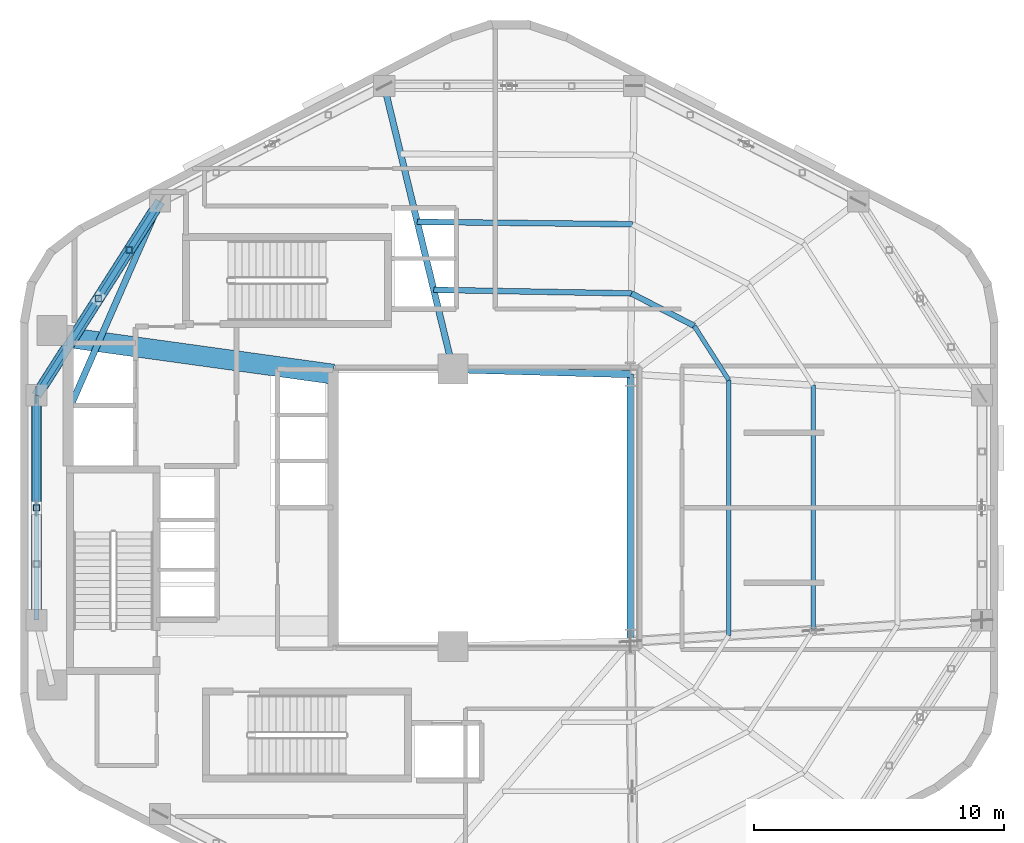
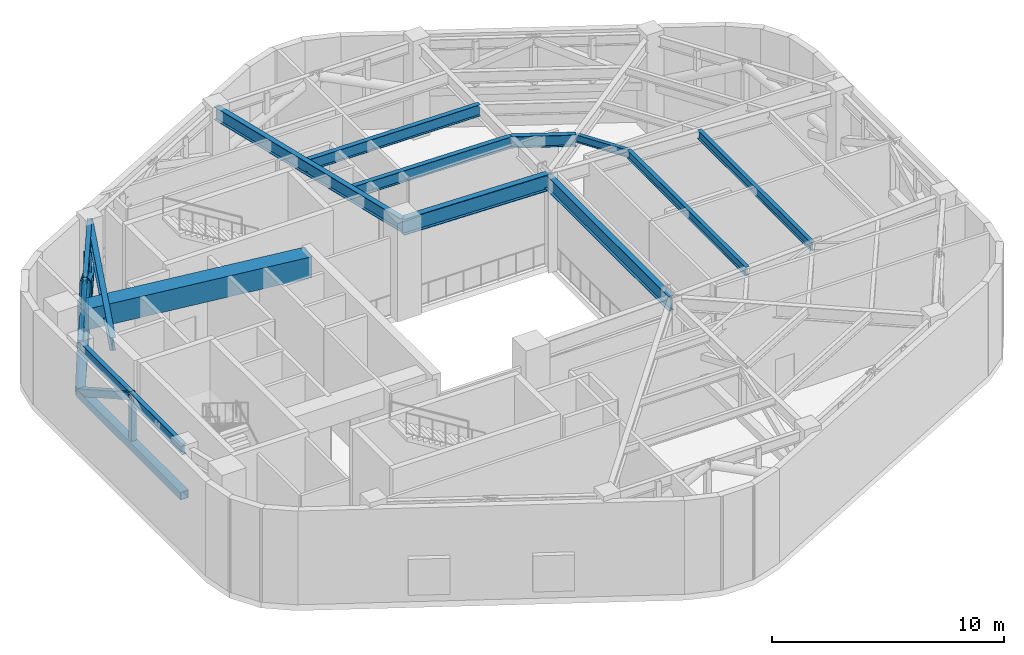
# One storey, part 3 of 10: 13 beams, 8 members.
"""IFC4 building model written with IfcOpenShell, lengths in metres."""

from ifc_helpers import new_model, si_unit, direction, frame, origin, origin_2d, place, context, subcontext, project, spatial, rectangle, hollow_rectangle, hollow_circle, i_section, extrude, material, material_profile, profile_set, type_object, element, save


model = new_model("IFC4")

# Units and contexts
model_context = context("Model", 3, precision=1e-05, world=origin(), true_north=direction((0.0, 1.0)))
body_context = subcontext(model_context, "Body", "Model", "MODEL_VIEW")
ifc_project = project(units=[si_unit("LENGTHUNIT", "METRE"), si_unit("AREAUNIT", "SQUARE_METRE"), si_unit("VOLUMEUNIT", "CUBIC_METRE"), si_unit("PLANEANGLEUNIT", "RADIAN"), si_unit("MASSUNIT", "GRAM", prefix="KILO"), si_unit("THERMODYNAMICTEMPERATUREUNIT", "KELVIN"), si_unit("POWERUNIT", "WATT")], contexts=[model_context])

# Site, building, storey
site_placement = place(None, origin())
site = spatial("IfcSite", under=ifc_project, at=site_placement, CompositionType="ELEMENT")
building_placement = place(site_placement, origin())
building = spatial("IfcBuilding", under=site, at=building_placement, Name="Skarre Station Tower", CompositionType="ELEMENT")
storey_placement = place(building_placement, frame((0.0, 0.0, 191.25)))
storey = spatial("IfcBuildingStorey", under=building, at=storey_placement, Name="L52", CompositionType="ELEMENT", Elevation=191.25)

# Beams
ifc_material_1 = material(Name="Concrete C70/85", Category="concrete")
ifc_material_profile_1 = material_profile(ifc_material_1, rectangle(XDim=0.800048828125, YDim=1.10009765625, at=origin_2d()), Name="Concrete C70/85")
ifc_profile_set_1 = profile_set([ifc_material_profile_1], Name="Concrete C70/85")
beam_type_1 = type_object("IfcBeamType", Name="RC Core Coupling Lintel 800x1100", PredefinedType="LINTEL", material=ifc_profile_set_1)
beam_1_placement = place(storey_placement, frame((17.050048828125, 30.800048828125, 4.389892578125), z_axis=(0.990599723633, -0.136792498109, 0.0), x_axis=(0.136792498109, 0.990599723633, 0.0)))
element("IfcBeam", 1, at=beam_1_placement, inside=storey, type_object=beam_type_1, Name="L52 North Core Coupling Lintel", PredefinedType="LINTEL", context=body_context, shape_type="SweptSolid", body=[
    extrude(rectangle(XDim=0.800048828125, YDim=1.10009765625, at=origin_2d()), origin(), (0.0, 0.0, 1.0), 10.599609375),
])
ifc_material_2 = material(Name="Steel ASTM A992 Grade 50", Category="steel")
ifc_material_profile_2 = material_profile(ifc_material_2, i_section(OverallWidth=0.256103515625, OverallDepth=0.693115234375, WebThickness=0.013916015625, FlangeThickness=0.02392578125, at=origin_2d()), Name="Steel ASTM A992 Grade 50")
ifc_profile_set_2 = profile_set([ifc_material_profile_2], Name="Steel ASTM A992 Grade 50")
beam_type_2 = type_object("IfcBeamType", Name="Steel Beam W27X114", PredefinedType="BEAM", material=ifc_profile_set_2)
beam_2_placement = place(storey_placement, frame((32.35009765625, 29.550048828125, 4.593994140625), z_axis=(-0.235892880832, 0.971779063765, 0.0), x_axis=(-0.971779063765, -0.235892880832, 0.0)))
element("IfcBeam", 2, at=beam_2_placement, inside=storey, type_object=beam_type_2, Name="L52 Radial Floor Girder F1C1", PredefinedType="BEAM", context=body_context, shape_type="SweptSolid", body=[
    extrude(i_section(OverallWidth=0.256103515625, OverallDepth=0.693115234375, WebThickness=0.013916015625, FlangeThickness=0.02392578125, at=origin_2d()), origin(), (0.0, 0.0, 1.0), 11.667236328125),
])
beam_3_placement = place(storey_placement, frame((17.010009765625, 28.0, 4.593994140625), z_axis=(0.401144174417, 0.916014929644, 0.0), x_axis=(-0.916014929644, 0.401144174417, 0.0)))
element("IfcBeam", 3, at=beam_3_placement, inside=storey, type_object=beam_type_2, Name="L52 Radial Floor Girder F1C2", PredefinedType="BEAM", context=body_context, shape_type="SweptSolid", body=[
    extrude(i_section(OverallWidth=0.256103515625, OverallDepth=0.693115234375, WebThickness=0.013916015625, FlangeThickness=0.02392578125, at=origin_2d()), origin(), (0.0, 0.0, 1.0), 9.01416015625),
])
ifc_material_profile_3 = material_profile(ifc_material_2, i_section(OverallWidth=0.26806640625, OverallDepth=0.77001953125, WebThickness=0.01611328125, FlangeThickness=0.02490234375, at=origin_2d()), Name="Steel ASTM A992 Grade 50")
ifc_profile_set_3 = profile_set([ifc_material_profile_3], Name="Steel ASTM A992 Grade 50")
beam_type_3 = type_object("IfcBeamType", Name="Steel Beam W30X132", PredefinedType="BEAM", material=ifc_profile_set_3)
beam_4_placement = place(storey_placement, frame((39.449951171875, 18.64990234375, 4.554931640625), z_axis=(0.0, 1.0, 0.0), x_axis=(-1.0, 0.0, 0.0)))
element("IfcBeam", 4, at=beam_4_placement, inside=storey, type_object=beam_type_3, Name="L52 Atrium East Edge Girder", PredefinedType="BEAM", context=body_context, shape_type="SweptSolid", body=[
    extrude(i_section(OverallWidth=0.26806640625, OverallDepth=0.77001953125, WebThickness=0.01611328125, FlangeThickness=0.02490234375, at=origin_2d()), origin(), (0.0, 0.0, 1.0), 10.7001953125),
])
ifc_material_profile_4 = material_profile(ifc_material_2, i_section(OverallWidth=0.2919921875, OverallDepth=0.85888671875, WebThickness=0.01708984375, FlangeThickness=0.031005859375, at=origin_2d()), Name="Steel ASTM A992 Grade 50")
ifc_profile_set_4 = profile_set([ifc_material_profile_4], Name="Steel ASTM A992 Grade 50")
beam_type_4 = type_object("IfcBeamType", Name="Steel Beam W33X169", PredefinedType="BEAM", material=ifc_profile_set_4)
beam_5_placement = place(storey_placement, frame((32.35009765625, 29.550048828125, 4.510986328125), z_axis=(0.999603666405, -0.028151556095, 0.0), x_axis=(0.028151556095, 0.999603666405, 0.0)))
element("IfcBeam", 5, at=beam_5_placement, inside=storey, type_object=beam_type_4, Name="L52 Atrium North Edge Girder", PredefinedType="BEAM", context=body_context, shape_type="SweptSolid", body=[
    extrude(i_section(OverallWidth=0.2919921875, OverallDepth=0.85888671875, WebThickness=0.01708984375, FlangeThickness=0.031005859375, at=origin_2d()), origin(), (0.0, 0.0, 1.0), 7.102783203125),
])
ifc_material_profile_5 = material_profile(ifc_material_2, i_section(OverallWidth=0.177978515625, OverallDepth=0.403076171875, WebThickness=0.008056640625, FlangeThickness=0.010986328125, at=origin_2d()), Name="Steel ASTM A992 Grade 50")
ifc_profile_set_5 = profile_set([ifc_material_profile_5], Name="Steel ASTM A992 Grade 50")
beam_type_5 = type_object("IfcBeamType", Name="Steel Joist W16X36", PredefinedType="JOIST", material=ifc_profile_set_5)
beam_6_placement = place(storey_placement, frame((43.389892578125, 29.112060546875, 4.738037109375), z_axis=(-0.537678636248, 0.843149858639, 0.0), x_axis=(-0.843149858639, -0.537678636248, 0.0)))
element("IfcBeam", 6, at=beam_6_placement, inside=storey, type_object=beam_type_5, Name="L52 Auxiliary Composite Joist 22", PredefinedType="JOIST", context=body_context, shape_type="SweptSolid", body=[
    extrude(i_section(OverallWidth=0.177978515625, OverallDepth=0.403076171875, WebThickness=0.008056640625, FlangeThickness=0.010986328125, at=origin_2d()), origin(), (0.0, 0.0, 1.0), 2.575927734375),
])
ifc_material_profile_6 = material_profile(ifc_material_2, i_section(OverallWidth=0.19091796875, OverallDepth=0.45703125, WebThickness=0.009033203125, FlangeThickness=0.013916015625, at=origin_2d()), Name="Steel ASTM A992 Grade 50")
ifc_profile_set_6 = profile_set([ifc_material_profile_6], Name="Steel ASTM A992 Grade 50")
beam_type_6 = type_object("IfcBeamType", Name="Steel Joist W18X50", PredefinedType="JOIST", material=ifc_profile_set_6)
beam_7_placement = place(storey_placement, frame((43.389892578125, 18.887939453125, 4.7119140625), z_axis=(0.0, 1.0, 0.0), x_axis=(-1.0, 0.0, 0.0)))
element("IfcBeam", 7, at=beam_7_placement, inside=storey, type_object=beam_type_6, Name="L52 Auxiliary Composite Joist 19", PredefinedType="JOIST", context=body_context, shape_type="SweptSolid", body=[
    extrude(i_section(OverallWidth=0.19091796875, OverallDepth=0.45703125, WebThickness=0.009033203125, FlangeThickness=0.013916015625, at=origin_2d()), origin(), (0.0, 0.0, 1.0), 10.22412109375),
])
beam_8_placement = place(storey_placement, frame((46.76708984375, 19.091064453125, 4.7119140625), z_axis=(0.0, 1.0, 0.0), x_axis=(-1.0, 0.0, 0.0)))
element("IfcBeam", 8, at=beam_8_placement, inside=storey, type_object=beam_type_6, Name="L52 Auxiliary Composite Joist 20", PredefinedType="JOIST", context=body_context, shape_type="SweptSolid", body=[
    extrude(i_section(OverallWidth=0.19091796875, OverallDepth=0.45703125, WebThickness=0.009033203125, FlangeThickness=0.013916015625, at=origin_2d()), origin(), (0.0, 0.0, 1.0), 9.81787109375),
])
ifc_material_profile_7 = material_profile(ifc_material_2, i_section(OverallWidth=0.22802734375, OverallDepth=0.60791015625, WebThickness=0.010986328125, FlangeThickness=0.01708984375, at=origin_2d()), Name="Steel ASTM A992 Grade 50")
ifc_profile_set_7 = profile_set([ifc_material_profile_7], Name="Steel ASTM A992 Grade 50")
beam_type_7 = type_object("IfcBeamType", Name="Steel Joist W24X76", PredefinedType="JOIST", material=ifc_profile_set_7)
beam_9_placement = place(storey_placement, frame((42.0048828125, 31.283935546875, 4.635986328125), z_axis=(-0.888530947613, 0.458816690122, 0.0), x_axis=(-0.458816690122, -0.888530947613, 0.0)))
element("IfcBeam", 9, at=beam_9_placement, inside=storey, type_object=beam_type_7, Name="L52 Secondary Floor Joist 1", PredefinedType="JOIST", context=body_context, shape_type="SweptSolid", body=[
    extrude(i_section(OverallWidth=0.22802734375, OverallDepth=0.60791015625, WebThickness=0.010986328125, FlangeThickness=0.01708984375, at=origin_2d()), origin(), (0.0, 0.0, 1.0), 2.8271484375),
])
beam_10_placement = place(storey_placement, frame((39.492919921875, 32.5810546875, 4.635986328125), z_axis=(-0.999834394757, 0.01819843569, 0.0), x_axis=(-0.01819843569, -0.999834394757, 0.0)))
element("IfcBeam", 10, at=beam_10_placement, inside=storey, type_object=beam_type_7, Name="L52 Secondary Floor Joist 4", PredefinedType="JOIST", context=body_context, shape_type="SweptSolid", body=[
    extrude(i_section(OverallWidth=0.22802734375, OverallDepth=0.60791015625, WebThickness=0.010986328125, FlangeThickness=0.01708984375, at=origin_2d()), origin(), (0.0, 0.0, 1.0), 7.9150390625),
])
beam_11_placement = place(storey_placement, frame((39.529052734375, 35.35009765625, 4.635986328125), z_axis=(-0.999937916295, 0.011142870137, 0.0), x_axis=(-0.011142870137, -0.999937916295, 0.0)))
element("IfcBeam", 11, at=beam_11_placement, inside=storey, type_object=beam_type_7, Name="L52 Secondary Floor Joist 5", PredefinedType="JOIST", context=body_context, shape_type="SweptSolid", body=[
    extrude(i_section(OverallWidth=0.22802734375, OverallDepth=0.60791015625, WebThickness=0.010986328125, FlangeThickness=0.01708984375, at=origin_2d()), origin(), (0.0, 0.0, 1.0), 8.610595703125),
])
ifc_material_profile_8 = material_profile(ifc_material_2, i_section(OverallWidth=0.214111328125, OverallDepth=0.549072265625, WebThickness=0.014892578125, FlangeThickness=0.02392578125, at=origin_2d()), Name="Steel ASTM A992 Grade 50")
ifc_profile_set_8 = profile_set([ifc_material_profile_8], Name="Steel ASTM A992 Grade 50")
beam_type_8 = type_object("IfcBeamType", Name="Steel Spandrel W21X93", PredefinedType="SPANDREL", material=ifc_profile_set_8)
beam_12_placement = place(storey_placement, frame((20.6259765625, 36.257080078125, 4.666015625), z_axis=(-0.537826426158, -0.843055594445, 0.0), x_axis=(0.843055594445, -0.537826426158, 0.0)))
element("IfcBeam", 12, at=beam_12_placement, inside=storey, type_object=beam_type_8, Name="L52 Facet Spandrel Beam 4", PredefinedType="SPANDREL", context=body_context, shape_type="SweptSolid", body=[
    extrude(i_section(OverallWidth=0.214111328125, OverallDepth=0.549072265625, WebThickness=0.014892578125, FlangeThickness=0.02392578125, at=origin_2d()), origin(), (0.0, 0.0, 1.0), 9.199951171875),
])
beam_13_placement = place(storey_placement, frame((15.677978515625, 28.5009765625, 4.666015625), z_axis=(0.0, -1.0, 0.0), x_axis=(1.0, 0.0, 0.0)))
element("IfcBeam", 13, at=beam_13_placement, inside=storey, type_object=beam_type_8, Name="L52 Facet Spandrel Beam 5", PredefinedType="SPANDREL", context=body_context, shape_type="SweptSolid", body=[
    extrude(i_section(OverallWidth=0.214111328125, OverallDepth=0.549072265625, WebThickness=0.014892578125, FlangeThickness=0.02392578125, at=origin_2d()), origin(), (0.0, 0.0, 1.0), 9.001953125),
])

# Members
ifc_material_3 = material(Name="Steel ASTM A500 Grade C", Category="steel")
ifc_material_profile_9 = material_profile(ifc_material_3, hollow_circle(Radius=0.228515625, WallThickness=0.02001953125, at=origin_2d()), Name="Steel ASTM A500 Grade C")
ifc_profile_set_9 = profile_set([ifc_material_profile_9], Name="Steel ASTM A500 Grade C")
member_type_1 = type_object("IfcMemberType", Name="Steel Truss Brace CHS457X20", PredefinedType="BRACE", material=ifc_profile_set_9)
for number, where, z_axis, x_axis, name in (
    (14, (20.6259765625, 36.257080078125, 2.25), (-0.470791261027, -0.738036038825, 0.483382244126), (0.84307530212, -0.537795532665, 0.0), "L52 Belt Truss Chevron Diagonal 4A"),
    (15, (15.677978515625, 28.5009765625, 2.25), (0.470843567474, 0.737998739466, 0.483388245115), (-0.843035885319, 0.53785731943, 0.0), "L52 Belt Truss Chevron Diagonal 4B"),
):
    element("IfcMember", number, at=place(storey_placement, frame(where, z_axis=z_axis, x_axis=x_axis)), inside=storey, type_object=member_type_1, Name=name, PredefinedType="BRACE", context=body_context, shape_type="SweptSolid", body=[
        extrude(hollow_circle(Radius=0.228515625, WallThickness=0.02001953125, at=origin_2d()), origin(), (0.0, 0.0, 1.0), 5.254638671875),
    ])
ifc_material_profile_10 = material_profile(ifc_material_3, hollow_rectangle(XDim=0.35009765625, YDim=0.35009765625, WallThickness=0.02001953125, at=origin_2d()), Name="Steel ASTM A500 Grade C")
ifc_profile_set_10 = profile_set([ifc_material_profile_10], Name="Steel ASTM A500 Grade C")
member_type_2 = type_object("IfcMemberType", Name="Steel Truss Brace HSS350X350X20", PredefinedType="BRACE", material=ifc_profile_set_10)
member_1_placement = place(storey_placement, frame((15.677978515625, 28.5009765625, 2.25), z_axis=(0.0, -0.870893448532, 0.491471872343), x_axis=(1.0, 0.0, 0.0)))
element("IfcMember", 16, at=member_1_placement, inside=storey, type_object=member_type_2, Name="L52 Belt Truss Chevron Diagonal 5A", PredefinedType="BRACE", context=body_context, shape_type="SweptSolid", body=[
    extrude(hollow_rectangle(XDim=0.35009765625, YDim=0.35009765625, WallThickness=0.02001953125, at=origin_2d()), origin(), (0.0, 0.0, 1.0), 5.168212890625),
])
ifc_material_profile_11 = material_profile(ifc_material_3, hollow_rectangle(XDim=0.39990234375, YDim=0.39990234375, WallThickness=0.02197265625, at=origin_2d()), Name="Steel ASTM A500 Grade C")
ifc_profile_set_11 = profile_set([ifc_material_profile_11], Name="Steel ASTM A500 Grade C")
member_type_3 = type_object("IfcMemberType", Name="Steel Truss Chord HSS400X400X22", PredefinedType="CHORD", material=ifc_profile_set_11)
member_2_placement = place(storey_placement, frame((20.6259765625, 36.257080078125, 2.25), z_axis=(-0.537826426158, -0.843055594445, 0.0), x_axis=(0.843055594445, -0.537826426158, 0.0)))
element("IfcMember", 17, at=member_2_placement, inside=storey, type_object=member_type_3, Name="L52 Belt Truss Bottom Chord 4", PredefinedType="CHORD", context=body_context, shape_type="SweptSolid", body=[
    extrude(hollow_rectangle(XDim=0.39990234375, YDim=0.39990234375, WallThickness=0.02197265625, at=origin_2d()), origin(), (0.0, 0.0, 1.0), 9.199951171875),
])
member_3_placement = place(storey_placement, frame((15.677978515625, 28.5009765625, 2.25), z_axis=(0.0, -1.0, 0.0), x_axis=(1.0, 0.0, 0.0)))
element("IfcMember", 18, at=member_3_placement, inside=storey, type_object=member_type_3, Name="L52 Belt Truss Bottom Chord 5", PredefinedType="CHORD", context=body_context, shape_type="SweptSolid", body=[
    extrude(hollow_rectangle(XDim=0.39990234375, YDim=0.39990234375, WallThickness=0.02197265625, at=origin_2d()), origin(), (0.0, 0.0, 1.0), 9.001953125),
])
ifc_material_profile_12 = material_profile(ifc_material_3, hollow_rectangle(XDim=0.25, YDim=0.25, WallThickness=0.01611328125, at=origin_2d()), Name="Steel ASTM A500 Grade C")
ifc_profile_set_12 = profile_set([ifc_material_profile_12], Name="Steel ASTM A500 Grade C")
member_type_4 = type_object("IfcMemberType", Name="Steel Truss Strut HSS250X250X16", PredefinedType="STRUT", material=ifc_profile_set_12)
for number, where, z_axis, x_axis, name in (
    (19, (19.388916015625, 34.318115234375, 2.25), (0.0, 0.0, 1.0), (1.0, 0.0, 0.0), "L52 Belt Truss Web Post 4-1"),
    (20, (18.152099609375, 32.37890625, 2.25), (0.0, 0.0, 1.0), (1.0, 0.0, 0.0), "L52 Belt Truss Web Post 4-2"),
    (21, (15.677978515625, 24.0, 2.25), (0.0, 0.0, 1.0), (1.0, 0.0, 0.0), "L52 Belt Truss Web Post 5-2"),
):
    element("IfcMember", number, at=place(storey_placement, frame(where, z_axis=z_axis, x_axis=x_axis)), inside=storey, type_object=member_type_4, Name=name, PredefinedType="STRUT", context=body_context, shape_type="SweptSolid", body=[
        extrude(hollow_rectangle(XDim=0.25, YDim=0.25, WallThickness=0.01611328125, at=origin_2d()), origin(), (0.0, 0.0, 1.0), 2.5400390625),
    ])

save(model, "model.ifc")
